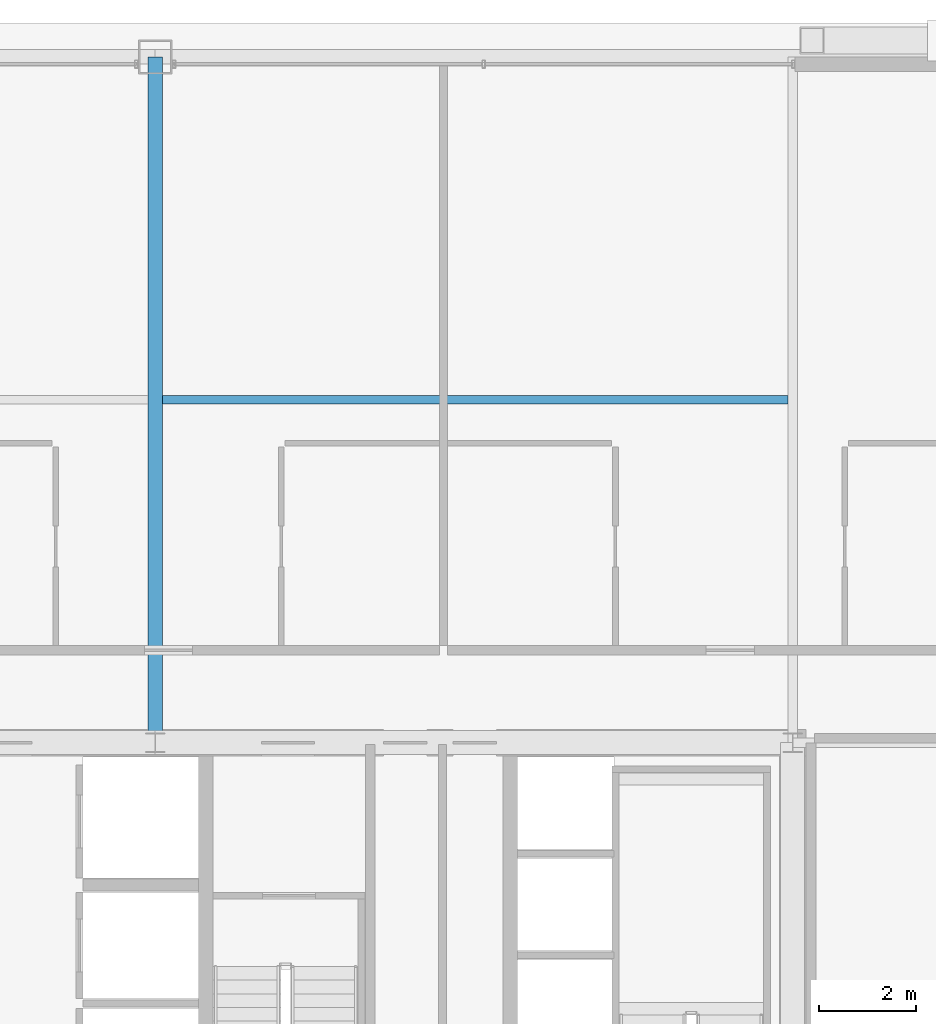
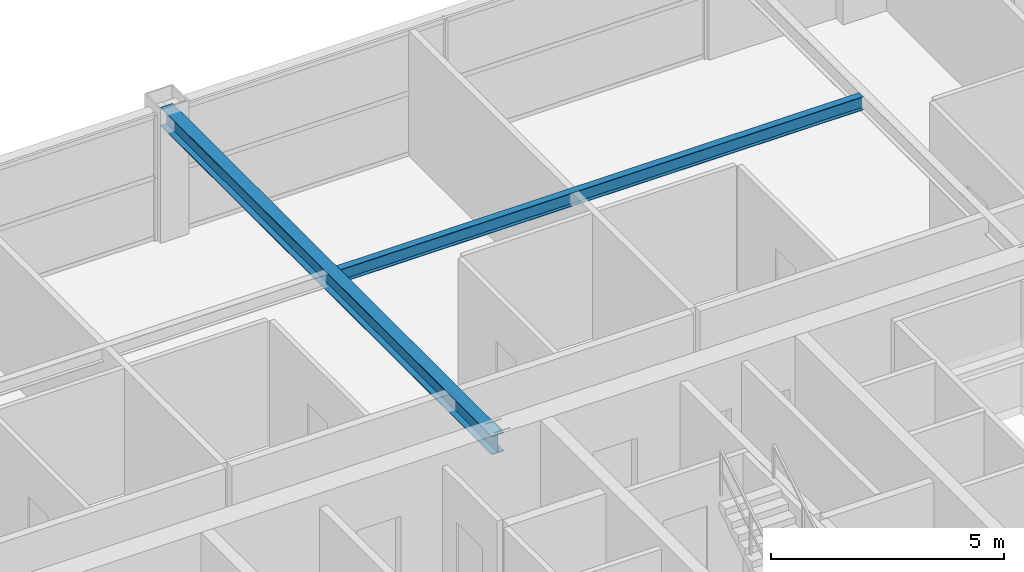
# One storey, part 24 of 33: 2 beams.
"""IFC4 building model written with IfcOpenShell, lengths in metres."""

from ifc_helpers import new_model, si_unit, direction, frame, origin, origin_2d, place, context, subcontext, project, spatial, i_section, extrude, source, transform, mapped, material, material_profile, profile_set, type_object, element, save


model = new_model("IFC4")

# Units and contexts
model_context = context("Model", 3, precision=1e-05, world=origin(), true_north=direction((0.0, 1.0)))
body_context = subcontext(model_context, "Body", "Model", "MODEL_VIEW")
ifc_project = project(units=[si_unit("LENGTHUNIT", "METRE"), si_unit("AREAUNIT", "SQUARE_METRE"), si_unit("VOLUMEUNIT", "CUBIC_METRE"), si_unit("PLANEANGLEUNIT", "RADIAN"), si_unit("MASSUNIT", "GRAM", prefix="KILO"), si_unit("THERMODYNAMICTEMPERATUREUNIT", "KELVIN"), si_unit("POWERUNIT", "WATT")], contexts=[model_context])

# Site, building, storey
site_placement = place(None, origin())
site = spatial("IfcSite", under=ifc_project, at=site_placement, CompositionType="ELEMENT")
building_placement = place(site_placement, origin())
building = spatial("IfcBuilding", under=site, at=building_placement, Name="Yuzanri Waterfront Tower", CompositionType="ELEMENT")
storey_placement = place(building_placement, frame((0.0, 0.0, 234.60009765625)))
storey = spatial("IfcBuildingStorey", under=building, at=storey_placement, Name="L62", CompositionType="ELEMENT", Elevation=234.60009765625)

# Beams
ifc_material_1 = material(Name="Steel Q355B", Category="steel")
ifc_material_profile_1 = material_profile(ifc_material_1, i_section(OverallWidth=0.300048828125, OverallDepth=0.488037109375, WebThickness=0.010986328125, FlangeThickness=0.01806640625, at=origin_2d()), Name="HM 488x300x11x18")
ifc_profile_set_1 = profile_set([ifc_material_profile_1], Name="Steel Q355B")
beam_type_1 = type_object("IfcBeamType", Name="Primary Floor Girder Q355B HM 488x300", PredefinedType="BEAM", material=ifc_profile_set_1)
shared_shape_1 = source(origin(), body_context, "Body", "SweptSolid", [
    extrude(i_section(OverallWidth=0.300048828125, OverallDepth=0.488037109375, WebThickness=0.010986328125, FlangeThickness=0.01806640625, at=origin_2d()), origin(), (0.0, 0.0, 1.0), 14.199951171875),
])
beam_1_placement = place(storey_placement, frame((37.0, 32.199951171875, 3.035888671875), z_axis=(0.0, 1.0, 0.0), x_axis=(-1.0, 0.0, 0.0)))
element("IfcBeam", 1, at=beam_1_placement, inside=storey, type_object=beam_type_1, Name="L62 North Grid Girder", PredefinedType="BEAM", context=body_context, shape_type="MappedRepresentation", body=[
    mapped(shared_shape_1, transform((0.0, 0.0, 0.0), scale=1.0)),
])
ifc_material_2 = material(Name="Steel Q355B", Category="steel")
ifc_material_profile_2 = material_profile(ifc_material_2, i_section(OverallWidth=0.175048828125, OverallDepth=0.35009765625, WebThickness=0.007080078125, FlangeThickness=0.010986328125, at=origin_2d()), Name="HN 350x175x7x11")
ifc_profile_set_2 = profile_set([ifc_material_profile_2], Name="Steel Q355B")
beam_type_2 = type_object("IfcBeamType", Name="Floor Joist Q355B HN 350x175", PredefinedType="JOIST", material=ifc_profile_set_2)
shared_shape_2 = source(origin(), body_context, "Body", "SweptSolid", [
    extrude(i_section(OverallWidth=0.175048828125, OverallDepth=0.35009765625, WebThickness=0.007080078125, FlangeThickness=0.010986328125, at=origin_2d()), origin(), (0.0, 0.0, 1.0), 12.9501953125),
])
beam_2_placement = place(storey_placement, frame((37.14990234375, 39.300048828125, 3.10498046875), z_axis=(1.0, 0.0, 0.0), x_axis=(0.0, 1.0, 0.0)))
element("IfcBeam", 2, at=beam_2_placement, inside=storey, type_object=beam_type_2, Name="L62 North Bay Joist E", PredefinedType="JOIST", context=body_context, shape_type="MappedRepresentation", body=[
    mapped(shared_shape_2, transform((0.0, 0.0, 0.0), scale=1.0)),
])

save(model, "model.ifc")
